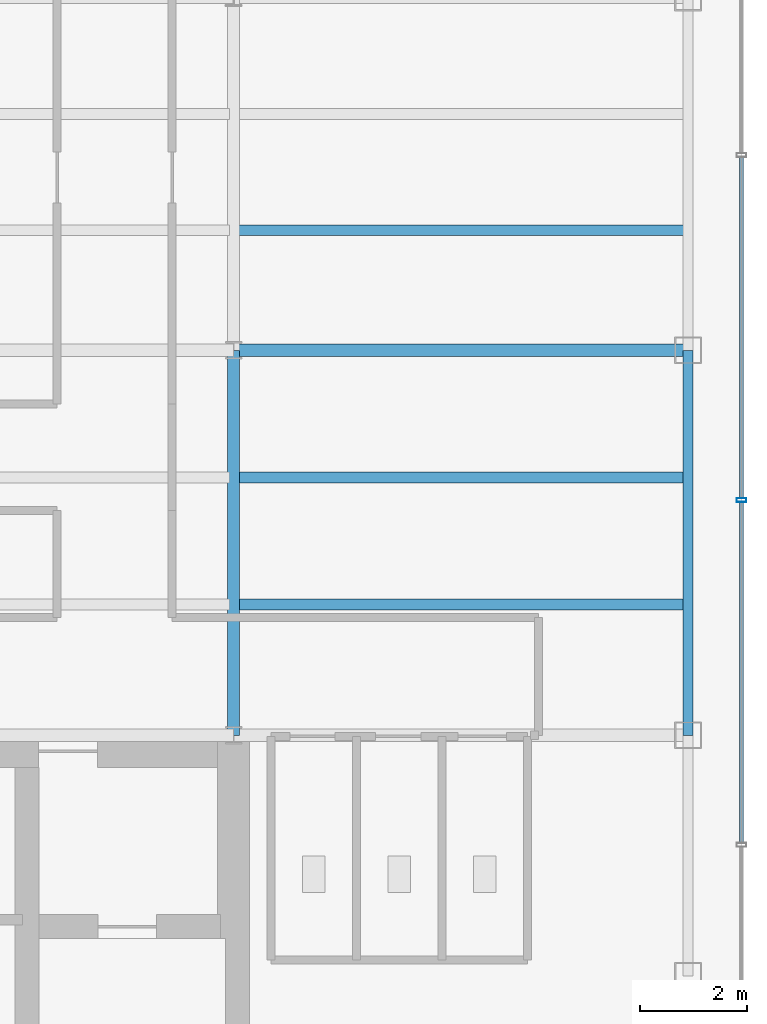
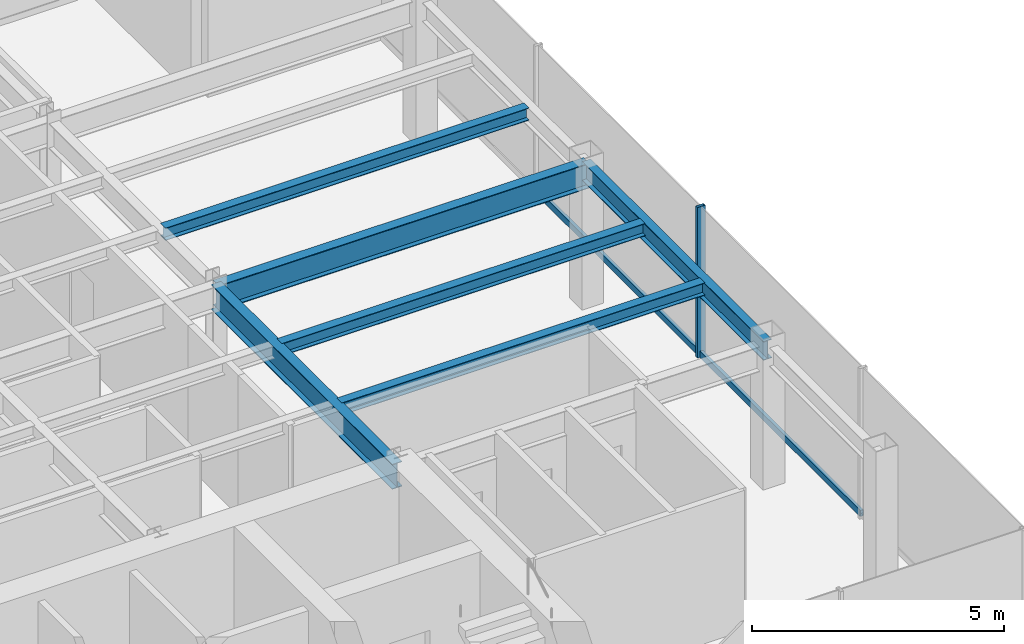
# One storey, part 10 of 22: 6 beams, 3 members, 1 element without a shape of its own.
"""IFC4 building model written with IfcOpenShell, lengths in metres."""

from ifc_helpers import new_model, si_unit, derived_unit, direction, frame, origin, origin_2d, place, context, subcontext, project, spatial, hollow_rectangle, i_section, extrude, source, transform, mapped, material, material_profile, profile_set, type_object, element, aggregate, save


model = new_model("IFC4")

# Units and contexts
model_context = context("Model", 3, precision=1e-05, world=origin(), true_north=direction((0.0, 1.0)))
body_context = subcontext(model_context, "Body", "Model", "MODEL_VIEW")
ifc_project = project(units=[si_unit("LENGTHUNIT", "METRE"), si_unit("AREAUNIT", "SQUARE_METRE"), si_unit("VOLUMEUNIT", "CUBIC_METRE"), si_unit("PLANEANGLEUNIT", "RADIAN"), si_unit("MASSUNIT", "GRAM", prefix="KILO"), derived_unit("THERMALTRANSMITTANCEUNIT", [(si_unit("POWERUNIT", "WATT"), 1), (si_unit("LENGTHUNIT", "METRE"), -2), (si_unit("THERMODYNAMICTEMPERATUREUNIT", "KELVIN"), -1)])], contexts=[model_context])

# Site, building, storey
site_placement = place(None, origin())
site = spatial("IfcSite", under=ifc_project, at=site_placement, CompositionType="ELEMENT")
building_placement = place(site_placement, origin())
building = spatial("IfcBuilding", under=site, at=building_placement, Name="Skarnbrae Concourse Arena and Tower", CompositionType="ELEMENT")
storey_placement = place(building_placement, frame((0.0, 0.0, 240.550048828125)))
storey = spatial("IfcBuildingStorey", under=building, at=storey_placement, Name="L62", CompositionType="ELEMENT", Elevation=240.550048828125)

# Beams
ifc_material_1 = material(Name="Steel CSA G40.21 350W", Category="steel")
ifc_material_profile_1 = material_profile(ifc_material_1, i_section(OverallWidth=0.22802734375, OverallDepth=0.60791015625, WebThickness=0.01123046875, FlangeThickness=0.017333984375, at=origin_2d()), Name="W610X113")
ifc_profile_set_1 = profile_set([ifc_material_profile_1], Name="Steel CSA G40.21 350W")
beam_type_1 = type_object("IfcBeamType", Name="BM-GIRD-W610X113", PredefinedType="BEAM", material=ifc_profile_set_1)
shared_shape_1 = source(origin(), body_context, "Body", "SweptSolid", [
    extrude(i_section(OverallWidth=0.22802734375, OverallDepth=0.60791015625, WebThickness=0.01123046875, FlangeThickness=0.017333984375, at=origin_2d()), origin(), (0.0, 0.0, 1.0), 8.5),
])
beam_1_placement = place(storey_placement, frame((33.5, 21.199951171875, 3.095947265625), z_axis=(1.0, 0.0, 0.0), x_axis=(0.0, 1.0, 0.0)))
element("IfcBeam", 1, at=beam_1_placement, inside=storey, type_object=beam_type_1, Name="L62 Primary E-W girder Y21.2-6", PredefinedType="BEAM", context=body_context, shape_type="MappedRepresentation", body=[
    mapped(shared_shape_1, transform((0.0, 0.0, 0.0))),
])
ifc_material_profile_2 = material_profile(ifc_material_1, i_section(OverallWidth=0.19091796875, OverallDepth=0.4599609375, WebThickness=0.010009765625, FlangeThickness=0.01611328125, at=origin_2d()), Name="W460X82")
ifc_profile_set_2 = profile_set([ifc_material_profile_2], Name="Steel CSA G40.21 350W")
beam_type_2 = type_object("IfcBeamType", Name="BM-SPAN-W460X82", PredefinedType="SPANDREL", material=ifc_profile_set_2)
shared_shape_2 = source(origin(), body_context, "Body", "SweptSolid", [
    extrude(i_section(OverallWidth=0.19091796875, OverallDepth=0.4599609375, WebThickness=0.010009765625, FlangeThickness=0.01611328125, at=origin_2d()), origin(), (0.0, 0.0, 1.0), 7.199951171875),
])
beam_2_placement = place(storey_placement, frame((42.0, 14.0, 3.169921875), z_axis=(0.0, 1.0, 0.0), x_axis=(-1.0, 0.0, 0.0)))
element("IfcBeam", 2, at=beam_2_placement, inside=storey, type_object=beam_type_2, Name="L62 Perimeter spandrel X42.0-2", PredefinedType="SPANDREL", context=body_context, shape_type="MappedRepresentation", body=[
    mapped(shared_shape_2, transform((0.0, 0.0, 0.0))),
])
shared_shape_3 = source(origin(), body_context, "Body", "SweptSolid", [
    extrude(i_section(OverallWidth=0.22802734375, OverallDepth=0.60791015625, WebThickness=0.01123046875, FlangeThickness=0.017333984375, at=origin_2d()), origin(), (0.0, 0.0, 1.0), 7.199951171875),
])
beam_3_placement = place(storey_placement, frame((33.5, 14.0, 3.095947265625), z_axis=(0.0, 1.0, 0.0), x_axis=(-1.0, 0.0, 0.0)))
element("IfcBeam", 3, at=beam_3_placement, inside=storey, type_object=beam_type_1, Name="L62 Primary N-S girder X33.5-1", PredefinedType="BEAM", context=body_context, shape_type="MappedRepresentation", body=[
    mapped(shared_shape_3, transform((0.0, 0.0, 0.0))),
])
ifc_material_profile_3 = material_profile(ifc_material_1, i_section(OverallWidth=0.202880859375, OverallDepth=0.302978515625, WebThickness=0.007568359375, FlangeThickness=0.01318359375, at=origin_2d()), Name="W310X60")
ifc_profile_set_3 = profile_set([ifc_material_profile_3], Name="Steel CSA G40.21 350W")
beam_type_3 = type_object("IfcBeamType", Name="BM-JOIST-W310X60", PredefinedType="JOIST", material=ifc_profile_set_3)
shared_shape_4 = source(origin(), body_context, "Body", "SweptSolid", [
    extrude(i_section(OverallWidth=0.202880859375, OverallDepth=0.302978515625, WebThickness=0.007568359375, FlangeThickness=0.01318359375, at=origin_2d()), origin(), (0.0, 0.0, 1.0), 8.33984375),
])
for number, where, z_axis, x_axis, name in (
    (4, (33.580078125, 16.447998046875, 3.24853515625), (1.0, 0.0, 0.0), (0.0, 1.0, 0.0), "L62 Secondary floor joist 1.1.6"),
    (5, (33.580078125, 18.823974609375, 3.24853515625), (1.0, 0.0, 0.0), (0.0, 1.0, 0.0), "L62 Secondary floor joist 1.2.6"),
    (6, (33.580078125, 23.444091796875, 3.24853515625), (1.0, 0.0, 0.0), (0.0, 1.0, 0.0), "L62 Secondary floor joist 2.1.6"),
):
    element("IfcBeam", number, at=place(storey_placement, frame(where, z_axis=z_axis, x_axis=x_axis)), inside=storey, type_object=beam_type_3, Name=name, PredefinedType="JOIST", context=body_context, shape_type="MappedRepresentation", body=[
        mapped(shared_shape_4, transform((0.0, 0.0, 0.0))),
    ])

# Curtain wall, members
ifc_material_2 = material(Name="Bronze anodised aluminium 6063-T6", Category="aluminium")
curtain_wall_type = type_object("IfcCurtainWallType", Name="CW-SYS-05-HIGHZONE", PredefinedType="USERDEFINED", material=ifc_material_2)
curtain_wall_placement = place(storey_placement, origin())
curtain_wall = element("IfcCurtainWall", 7, at=curtain_wall_placement, inside=storey, type_object=curtain_wall_type, Name="L62 Unitised curtain wall CW-L62-E04", ObjectType="UNITISED CURTAIN WALL", PredefinedType="USERDEFINED")
ifc_material_profile_4 = material_profile(ifc_material_2, hollow_rectangle(XDim=0.074951171875, YDim=0.179931640625, WallThickness=0.00390625, at=origin_2d()), Name="ALU-MULL-75X180")
ifc_profile_set_4 = profile_set([ifc_material_profile_4], Name="Bronze anodised aluminium 6063-T6")
member_type_1 = type_object("IfcMemberType", Name="CWM-CW-05", PredefinedType="MULLION", material=ifc_profile_set_4)
shared_shape_5 = source(origin(), body_context, "Body", "SweptSolid", [
    extrude(hollow_rectangle(XDim=0.074951171875, YDim=0.179931640625, WallThickness=0.00390625, at=origin_2d()), origin(), (0.0, 0.0, 1.0), 3.64990234375),
])
member_1_placement = place(storey_placement, frame((43.0, 18.39990234375, 0.0), z_axis=(0.0, 0.0, 1.0), x_axis=(0.0, 1.0, 0.0)))
member_1 = element("IfcMember", 8, at=member_1_placement, type_object=member_type_1, Name="CW-L62-E04 Mullion 3", PredefinedType="MULLION", context=body_context, shape_type="MappedRepresentation", body=[
    mapped(shared_shape_5, transform((0.0, 0.0, 0.0))),
])
ifc_material_profile_5 = material_profile(ifc_material_2, hollow_rectangle(XDim=0.074951171875, YDim=0.14990234375, WallThickness=0.00390625, at=origin_2d()), Name="ALU-TRAN-75X150")
ifc_profile_set_5 = profile_set([ifc_material_profile_5], Name="Bronze anodised aluminium 6063-T6")
member_type_2 = type_object("IfcMemberType", Name="CWT-CW-05", PredefinedType="USERDEFINED", material=ifc_profile_set_5)
shared_shape_6 = source(origin(), body_context, "Body", "SweptSolid", [
    extrude(hollow_rectangle(XDim=0.074951171875, YDim=0.14990234375, WallThickness=0.00390625, at=origin_2d()), origin(), (0.0, 0.0, 1.0), 6.375),
])
member_2_placement = place(storey_placement, frame((43.0, 11.987548828125, 0.074951171875), z_axis=(0.0, 1.0, 0.0), x_axis=(-1.0, 0.0, 0.0)))
member_2 = element("IfcMember", 9, at=member_2_placement, type_object=member_type_2, Name="CW-L62-E04 Transom 2", ObjectType="TRANSOM", PredefinedType="USERDEFINED", context=body_context, shape_type="MappedRepresentation", body=[
    mapped(shared_shape_6, transform((0.0, 0.0, 0.0))),
])
member_3_placement = place(storey_placement, frame((43.0, 18.4375, 0.074951171875), z_axis=(0.0, 1.0, 0.0), x_axis=(-1.0, 0.0, 0.0)))
member_3 = element("IfcMember", 10, at=member_3_placement, type_object=member_type_2, Name="CW-L62-E04 Transom 3", ObjectType="TRANSOM", PredefinedType="USERDEFINED", context=body_context, shape_type="MappedRepresentation", body=[
    mapped(shared_shape_6, transform((0.0, 0.0, 0.0))),
])
aggregate(curtain_wall, [member_1, member_2, member_3])

save(model, "model.ifc")
